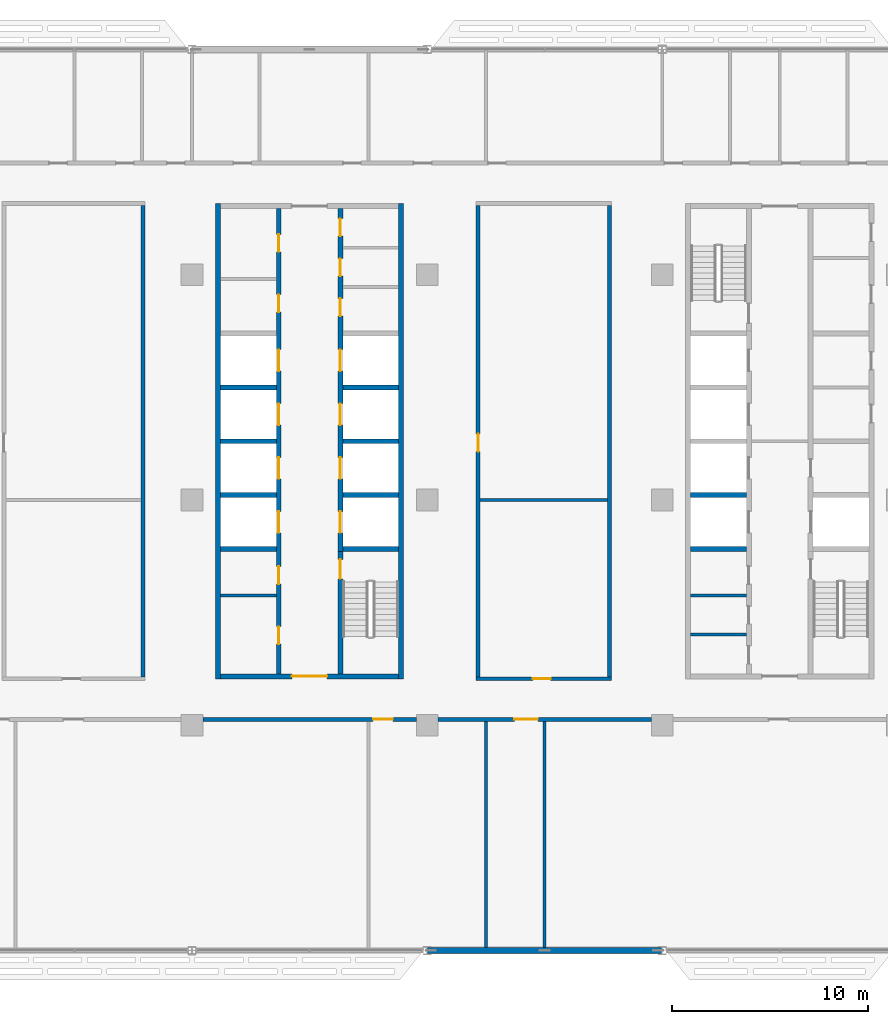
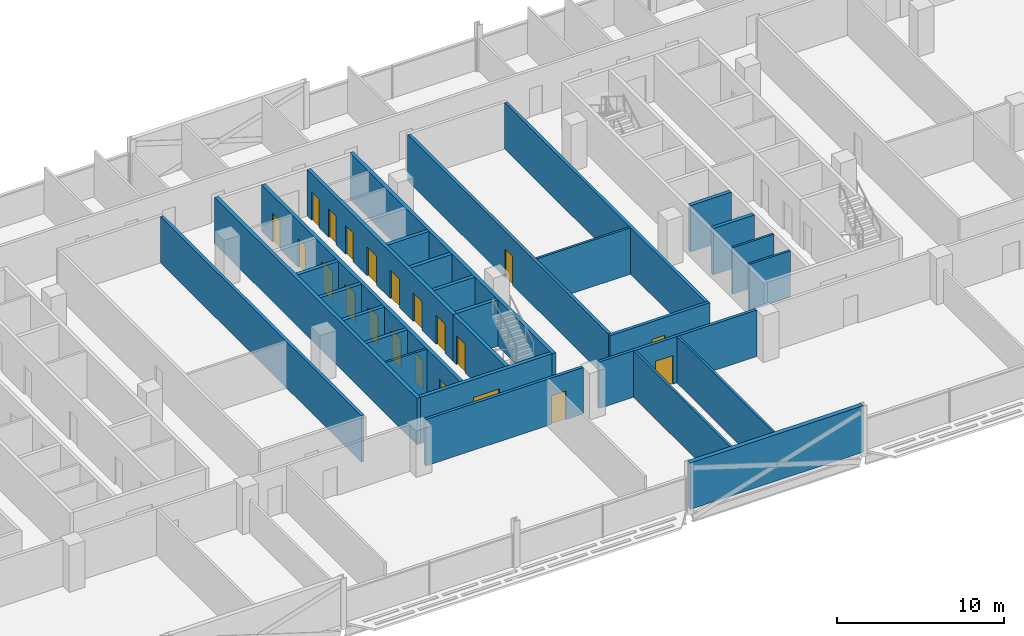
# One storey, part 14 of 30: 29 walls, 21 doors, 21 openings.
"""IFC4 building model written with IfcOpenShell, lengths in metres."""

from ifc_helpers import new_model, si_unit, direction, frame, frame_2d, origin, place, context, subcontext, project, spatial, rectangle, extrude, material, layer, layer_set, type_object, element, fill, save


model = new_model("IFC4")

# Units and contexts
model_context = context("Model", 3, precision=1e-05, world=origin(), true_north=direction((0.0, 1.0)))
body_context = subcontext(model_context, "Body", "Model", "MODEL_VIEW")
ifc_project = project(units=[si_unit("LENGTHUNIT", "METRE"), si_unit("AREAUNIT", "SQUARE_METRE"), si_unit("VOLUMEUNIT", "CUBIC_METRE"), si_unit("PLANEANGLEUNIT", "RADIAN"), si_unit("MASSUNIT", "GRAM", prefix="KILO")], contexts=[model_context])

# Site, building, storey
site_placement = place(None, origin())
site = spatial("IfcSite", under=ifc_project, at=site_placement, CompositionType="ELEMENT")
building_placement = place(site_placement, origin())
building = spatial("IfcBuilding", under=site, at=building_placement, Name="Mahtab Terrace Research Tower", CompositionType="ELEMENT")
storey_placement = place(building_placement, frame((0.0, 0.0, 220.5)))
storey = spatial("IfcBuildingStorey", under=building, at=storey_placement, Name="L53", CompositionType="ELEMENT", Elevation=220.5)

# Walls
ifc_material_1 = material(Name="Gypsum board partition")
ifc_layer_1 = layer(ifc_material_1, 0.14990234375)
ifc_layer_set_1 = layer_set([ifc_layer_1], Name="Core partition 150")
wall_type_1 = type_object("IfcWallType", Name="Core partition 150", PredefinedType="PARTITIONING", material=ifc_layer_set_1)
for number, where, z_axis, x_axis, name in (
    (1, (-4.550048828125, -4.875, 0.0), (0.0, 0.0, 1.0), (1.0, 0.0, 0.0), "Core wall B pWS-788"),
    (2, (19.449951171875, -6.875, 0.0), (0.0, 0.0, 1.0), (1.0, 0.0, 0.0), "Core wall C pWS-988"),
    (3, (19.449951171875, -4.875, 0.0), (0.0, 0.0, 1.0), (1.0, 0.0, 0.0), "Core wall C pWS-788"),
):
    element("IfcWall", number, at=place(storey_placement, frame(where, z_axis=z_axis, x_axis=x_axis)), inside=storey, type_object=wall_type_1, Name=name, PredefinedType="PARTITIONING", context=body_context, shape_type="SweptSolid", body=[
        extrude(rectangle(XDim=2.85009765625, YDim=0.14990234375, at=frame_2d((1.425048828125, 0.0))), origin(), (0.0, 0.0, 1.0), 3.39990234375),
    ])
ifc_material_2 = material(Name="Concrete C70/85", Category="concrete")
ifc_layer_2 = layer(ifc_material_2, 0.25)
ifc_layer_set_2 = layer_set([ifc_layer_2], Name="Core wall 250")
wall_type_2 = type_object("IfcWallType", Name="Core wall 250", PredefinedType="SOLIDWALL", material=ifc_layer_set_2)
for number, where, z_axis, x_axis, name in (
    (4, (-4.675048828125, 15.125, 0.0), (0.0, 0.0, 1.0), (0.0, -1.0, 0.0), "Core wall B outerW"),
    (5, (4.675048828125, -9.125, 0.0), (0.0, 0.0, 1.0), (0.0, 1.0, 0.0), "Core wall B outerE"),
):
    element("IfcWall", number, at=place(storey_placement, frame(where, z_axis=z_axis, x_axis=x_axis)), inside=storey, type_object=wall_type_2, Name=name, PredefinedType="SOLIDWALL", context=body_context, shape_type="SweptSolid", body=[
        extrude(rectangle(XDim=24.25, YDim=0.25, at=frame_2d((12.125, 0.0))), origin(), (0.0, 0.0, 1.0), 3.39990234375),
    ])

# Wall, opening, door
wall_1_placement = place(storey_placement, frame((4.550048828125, -9.0, 0.0), z_axis=(0.0, 0.0, 1.0), x_axis=(-1.0, 0.0, 0.0)))
wall_1 = element("IfcWall", 6, at=wall_1_placement, inside=storey, type_object=wall_type_2, Name="Core wall B endS", PredefinedType="SOLIDWALL", context=body_context, shape_type="SweptSolid", body=[
    extrude(rectangle(XDim=9.10009765625, YDim=0.25, at=frame_2d((4.550048828125, 0.0))), origin(), (0.0, 0.0, 1.0), 3.39990234375),
])
opening_1_placement = place(wall_1_placement, frame((3.64990234375, 0.0, 0.0)))
opening_1 = element("IfcOpeningElement", 7, at=opening_1_placement, cuts=wall_1, Name="Opening B-S1", PredefinedType="OPENING", context=body_context, shape_type="SweptSolid", body=[
    extrude(rectangle(XDim=1.800048828125, YDim=2.10009765625, at=frame_2d((0.89990234375, 1.050048828125))), frame((0.0, 0.135009765625, 0.0), z_axis=(0.0, -1.0, 0.0), x_axis=(1.0, 0.0, 0.0)), (0.0, 0.0, 1.0), 0.27001953125),
])
ifc_material_3 = material(Name="Steel fire door", Category="steel")
door_type_1 = type_object("IfcDoorType", Name="Lobby double door 1800x2100 1 HR", OperationType="DOUBLE_DOOR_SINGLE_SWING", PredefinedType="DOOR", material=ifc_material_3)
door_1_placement = place(opening_1_placement, origin())
door_1 = element("IfcDoor", 8, at=door_1_placement, inside=storey, type_object=door_type_1, Name="Core entrance door B S", OperationType="DOUBLE_DOOR_SINGLE_SWING", OverallHeight=2.10009765625, OverallWidth=1.800048828125, PredefinedType="DOOR", context=body_context, shape_type="SweptSolid", body=[
    extrude(rectangle(XDim=1.800048828125, YDim=2.10009765625, at=frame_2d((0.89990234375, 1.050048828125))), frame((0.0, 0.02490234375, 0.0), z_axis=(0.0, -1.0, 0.0), x_axis=(1.0, 0.0, 0.0)), (0.0, 0.0, 1.0), 0.050048828125),
])
fill(opening_1, door_1)

# Wall, openings, doors
wall_2_placement = place(storey_placement, frame((-1.574951171875, -8.875, 0.0), z_axis=(0.0, 0.0, 1.0), x_axis=(0.0, 1.0, 0.0)))
wall_2 = element("IfcWall", 9, at=wall_2_placement, inside=storey, type_object=wall_type_2, Name="Core wall B innerWSLN", PredefinedType="SOLIDWALL", context=body_context, shape_type="SweptSolid", body=[
    extrude(rectangle(XDim=23.75, YDim=0.25, at=frame_2d((11.875, 0.0))), origin(), (0.0, 0.0, 1.0), 3.39990234375),
])
opening_2_placement = place(wall_2_placement, frame((7.199951171875, 0.0, 0.0)))
opening_2 = element("IfcOpeningElement", 10, at=opening_2_placement, cuts=wall_2, Name="Opening LD09-L53", PredefinedType="OPENING", context=body_context, shape_type="SweptSolid", body=[
    extrude(rectangle(XDim=1.10009765625, YDim=2.10009765625, at=frame_2d((0.550048828125, 1.050048828125))), frame((0.0, 0.135009765625, 0.0), z_axis=(0.0, -1.0, 0.0), x_axis=(1.0, 0.0, 0.0)), (0.0, 0.0, 1.0), 0.27001953125),
])
opening_3_placement = place(wall_2_placement, frame((9.949951171875, 0.0, 0.0)))
opening_3 = element("IfcOpeningElement", 11, at=opening_3_placement, cuts=wall_2, Name="Opening LD10-L53", PredefinedType="OPENING", context=body_context, shape_type="SweptSolid", body=[
    extrude(rectangle(XDim=1.10009765625, YDim=2.10009765625, at=frame_2d((0.550048828125, 1.050048828125))), frame((0.0, 0.135009765625, 0.0), z_axis=(0.0, -1.0, 0.0), x_axis=(1.0, 0.0, 0.0)), (0.0, 0.0, 1.0), 0.27001953125),
])
opening_4_placement = place(wall_2_placement, frame((12.699951171875, 0.0, 0.0)))
opening_4 = element("IfcOpeningElement", 12, at=opening_4_placement, cuts=wall_2, Name="Opening LD11-L53", PredefinedType="OPENING", context=body_context, shape_type="SweptSolid", body=[
    extrude(rectangle(XDim=1.10009765625, YDim=2.10009765625, at=frame_2d((0.550048828125, 1.050048828125))), frame((0.0, 0.135009765625, 0.0), z_axis=(0.0, -1.0, 0.0), x_axis=(1.0, 0.0, 0.0)), (0.0, 0.0, 1.0), 0.27001953125),
])
opening_5_placement = place(wall_2_placement, frame((15.449951171875, 0.0, 0.0)))
opening_5 = element("IfcOpeningElement", 13, at=opening_5_placement, cuts=wall_2, Name="Opening LD12-L53", PredefinedType="OPENING", context=body_context, shape_type="SweptSolid", body=[
    extrude(rectangle(XDim=1.10009765625, YDim=2.10009765625, at=frame_2d((0.550048828125, 1.050048828125))), frame((0.0, 0.135009765625, 0.0), z_axis=(0.0, -1.0, 0.0), x_axis=(1.0, 0.0, 0.0)), (0.0, 0.0, 1.0), 0.27001953125),
])
opening_6_placement = place(wall_2_placement, frame((1.512451171875, 0.0, 0.0)))
opening_6 = element("IfcOpeningElement", 14, at=opening_6_placement, cuts=wall_2, Name="Opening B-R1", PredefinedType="OPENING", context=body_context, shape_type="SweptSolid", body=[
    extrude(rectangle(XDim=0.89990234375, YDim=2.10009765625, at=frame_2d((0.449951171875, 1.050048828125))), frame((0.0, 0.135009765625, 0.0), z_axis=(0.0, -1.0, 0.0), x_axis=(1.0, 0.0, 0.0)), (0.0, 0.0, 1.0), 0.27001953125),
])
opening_7_placement = place(wall_2_placement, frame((4.58740234375, 0.0, 0.0)))
opening_7 = element("IfcOpeningElement", 15, at=opening_7_placement, cuts=wall_2, Name="Opening B-R2", PredefinedType="OPENING", context=body_context, shape_type="SweptSolid", body=[
    extrude(rectangle(XDim=0.89990234375, YDim=2.10009765625, at=frame_2d((0.449951171875, 1.050048828125))), frame((0.0, 0.135009765625, 0.0), z_axis=(0.0, -1.0, 0.0), x_axis=(1.0, 0.0, 0.0)), (0.0, 0.0, 1.0), 0.27001953125),
])
opening_8_placement = place(wall_2_placement, frame((18.46240234375, 0.0, 0.0)))
opening_8 = element("IfcOpeningElement", 16, at=opening_8_placement, cuts=wall_2, Name="Opening B-R3", PredefinedType="OPENING", context=body_context, shape_type="SweptSolid", body=[
    extrude(rectangle(XDim=0.89990234375, YDim=2.10009765625, at=frame_2d((0.449951171875, 1.050048828125))), frame((0.0, 0.135009765625, 0.0), z_axis=(0.0, -1.0, 0.0), x_axis=(1.0, 0.0, 0.0)), (0.0, 0.0, 1.0), 0.27001953125),
])
opening_9_placement = place(wall_2_placement, frame((21.53759765625, 0.0, 0.0)))
opening_9 = element("IfcOpeningElement", 17, at=opening_9_placement, cuts=wall_2, Name="Opening B-R4", PredefinedType="OPENING", context=body_context, shape_type="SweptSolid", body=[
    extrude(rectangle(XDim=0.89990234375, YDim=2.10009765625, at=frame_2d((0.449951171875, 1.050048828125))), frame((0.0, 0.135009765625, 0.0), z_axis=(0.0, -1.0, 0.0), x_axis=(1.0, 0.0, 0.0)), (0.0, 0.0, 1.0), 0.27001953125),
])
ifc_material_4 = material(Name="Stainless steel AISI 304", Category="steel")
door_type_2 = type_object("IfcDoorType", Name="Landing door 1100x2100", OperationType="DOUBLE_DOOR_SLIDING", PredefinedType="DOOR", material=ifc_material_4)
door_2_placement = place(opening_2_placement, origin())
door_2 = element("IfcDoor", 18, at=door_2_placement, inside=storey, type_object=door_type_2, Name="Landing door HR1 L53", OperationType="DOUBLE_DOOR_SLIDING", OverallHeight=2.10009765625, OverallWidth=1.10009765625, PredefinedType="DOOR", context=body_context, shape_type="SweptSolid", body=[
    extrude(rectangle(XDim=1.10009765625, YDim=2.10009765625, at=frame_2d((0.550048828125, 1.050048828125))), frame((0.0, 0.02490234375, 0.0), z_axis=(0.0, -1.0, 0.0), x_axis=(1.0, 0.0, 0.0)), (0.0, 0.0, 1.0), 0.050048828125),
])
fill(opening_2, door_2)
door_3_placement = place(opening_3_placement, origin())
door_3 = element("IfcDoor", 19, at=door_3_placement, inside=storey, type_object=door_type_2, Name="Landing door HR2 L53", OperationType="DOUBLE_DOOR_SLIDING", OverallHeight=2.10009765625, OverallWidth=1.10009765625, PredefinedType="DOOR", context=body_context, shape_type="SweptSolid", body=[
    extrude(rectangle(XDim=1.10009765625, YDim=2.10009765625, at=frame_2d((0.550048828125, 1.050048828125))), frame((0.0, 0.02490234375, 0.0), z_axis=(0.0, -1.0, 0.0), x_axis=(1.0, 0.0, 0.0)), (0.0, 0.0, 1.0), 0.050048828125),
])
fill(opening_3, door_3)
door_4_placement = place(opening_4_placement, origin())
door_4 = element("IfcDoor", 20, at=door_4_placement, inside=storey, type_object=door_type_2, Name="Landing door HR3 L53", OperationType="DOUBLE_DOOR_SLIDING", OverallHeight=2.10009765625, OverallWidth=1.10009765625, PredefinedType="DOOR", context=body_context, shape_type="SweptSolid", body=[
    extrude(rectangle(XDim=1.10009765625, YDim=2.10009765625, at=frame_2d((0.550048828125, 1.050048828125))), frame((0.0, 0.02490234375, 0.0), z_axis=(0.0, -1.0, 0.0), x_axis=(1.0, 0.0, 0.0)), (0.0, 0.0, 1.0), 0.050048828125),
])
fill(opening_4, door_4)
door_5_placement = place(opening_5_placement, origin())
door_5 = element("IfcDoor", 21, at=door_5_placement, inside=storey, type_object=door_type_2, Name="Landing door HR4 L53", OperationType="DOUBLE_DOOR_SLIDING", OverallHeight=2.10009765625, OverallWidth=1.10009765625, PredefinedType="DOOR", context=body_context, shape_type="SweptSolid", body=[
    extrude(rectangle(XDim=1.10009765625, YDim=2.10009765625, at=frame_2d((0.550048828125, 1.050048828125))), frame((0.0, 0.02490234375, 0.0), z_axis=(0.0, -1.0, 0.0), x_axis=(1.0, 0.0, 0.0)), (0.0, 0.0, 1.0), 0.050048828125),
])
fill(opening_5, door_5)
door_type_3 = type_object("IfcDoorType", Name="Room door 900x2100 1 HR", OperationType="NOTDEFINED", PredefinedType="DOOR", material=ifc_material_3)
door_6_placement = place(opening_6_placement, origin())
door_6 = element("IfcDoor", 22, at=door_6_placement, inside=storey, type_object=door_type_3, Name="IT equipment room door", OperationType="SINGLE_SWING_LEFT", OverallHeight=2.10009765625, OverallWidth=0.89990234375, PredefinedType="DOOR", context=body_context, shape_type="SweptSolid", body=[
    extrude(rectangle(XDim=0.89990234375, YDim=2.10009765625, at=frame_2d((0.449951171875, 1.050048828125))), frame((0.0, 0.02490234375, 0.0), z_axis=(0.0, -1.0, 0.0), x_axis=(1.0, 0.0, 0.0)), (0.0, 0.0, 1.0), 0.050048828125),
])
fill(opening_6, door_6)
door_7_placement = place(opening_7_placement, origin())
door_7 = element("IfcDoor", 23, at=door_7_placement, inside=storey, type_object=door_type_3, Name="Electrical riser room door", OperationType="SINGLE_SWING_RIGHT", OverallHeight=2.10009765625, OverallWidth=0.89990234375, PredefinedType="DOOR", context=body_context, shape_type="SweptSolid", body=[
    extrude(rectangle(XDim=0.89990234375, YDim=2.10009765625, at=frame_2d((0.449951171875, 1.050048828125))), frame((0.0, 0.02490234375, 0.0), z_axis=(0.0, -1.0, 0.0), x_axis=(1.0, 0.0, 0.0)), (0.0, 0.0, 1.0), 0.050048828125),
])
fill(opening_7, door_7)
door_8_placement = place(opening_8_placement, origin())
door_8 = element("IfcDoor", 24, at=door_8_placement, inside=storey, type_object=door_type_3, Name="Mechanical riser room door", OperationType="SINGLE_SWING_LEFT", OverallHeight=2.10009765625, OverallWidth=0.89990234375, PredefinedType="DOOR", context=body_context, shape_type="SweptSolid", body=[
    extrude(rectangle(XDim=0.89990234375, YDim=2.10009765625, at=frame_2d((0.449951171875, 1.050048828125))), frame((0.0, 0.02490234375, 0.0), z_axis=(0.0, -1.0, 0.0), x_axis=(1.0, 0.0, 0.0)), (0.0, 0.0, 1.0), 0.050048828125),
])
fill(opening_8, door_8)
door_9_placement = place(opening_9_placement, origin())
door_9 = element("IfcDoor", 25, at=door_9_placement, inside=storey, type_object=door_type_3, Name="Chemical store door", OperationType="SINGLE_SWING_RIGHT", OverallHeight=2.10009765625, OverallWidth=0.89990234375, PredefinedType="DOOR", context=body_context, shape_type="SweptSolid", body=[
    extrude(rectangle(XDim=0.89990234375, YDim=2.10009765625, at=frame_2d((0.449951171875, 1.050048828125))), frame((0.0, 0.02490234375, 0.0), z_axis=(0.0, -1.0, 0.0), x_axis=(1.0, 0.0, 0.0)), (0.0, 0.0, 1.0), 0.050048828125),
])
fill(opening_9, door_9)

# Wall, opening, door
wall_3_placement = place(storey_placement, frame((1.574951171875, -8.875, 0.0), z_axis=(0.0, 0.0, 1.0), x_axis=(0.0, 1.0, 0.0)))
wall_3 = element("IfcWall", 26, at=wall_3_placement, inside=storey, type_object=wall_type_2, Name="Core wall B innerES", PredefinedType="SOLIDWALL", context=body_context, shape_type="SweptSolid", body=[
    extrude(rectangle(XDim=6.25, YDim=0.25, at=frame_2d((3.125, 0.0))), origin(), (0.0, 0.0, 1.0), 3.39990234375),
])
opening_10_placement = place(wall_3_placement, frame((4.85009765625, 0.0, 0.0)))
opening_10 = element("IfcOpeningElement", 27, at=opening_10_placement, cuts=wall_3, Name="Opening B-ST2", PredefinedType="OPENING", context=body_context, shape_type="SweptSolid", body=[
    extrude(rectangle(XDim=1.0, YDim=2.10009765625, at=frame_2d((0.5, 1.050048828125))), frame((0.0, 0.135009765625, 0.0), z_axis=(0.0, -1.0, 0.0), x_axis=(1.0, 0.0, 0.0)), (0.0, 0.0, 1.0), 0.27001953125),
])
door_type_4 = type_object("IfcDoorType", Name="Stair door 1000x2100 1.5 HR", OperationType="NOTDEFINED", PredefinedType="DOOR", material=ifc_material_3)
door_10_placement = place(opening_10_placement, origin())
door_10 = element("IfcDoor", 28, at=door_10_placement, inside=storey, type_object=door_type_4, Name="Stair door ST2 L53", OperationType="SINGLE_SWING_RIGHT", OverallHeight=2.10009765625, OverallWidth=1.0, PredefinedType="DOOR", context=body_context, shape_type="SweptSolid", body=[
    extrude(rectangle(XDim=1.0, YDim=2.10009765625, at=frame_2d((0.5, 1.050048828125))), frame((0.0, 0.02490234375, 0.0), z_axis=(0.0, -1.0, 0.0), x_axis=(1.0, 0.0, 0.0)), (0.0, 0.0, 1.0), 0.050048828125),
])
fill(opening_10, door_10)

# Wall, openings, doors
wall_4_placement = place(storey_placement, frame((1.574951171875, 14.875, 0.0), z_axis=(0.0, 0.0, 1.0), x_axis=(0.0, -1.0, 0.0)))
wall_4 = element("IfcWall", 29, at=wall_4_placement, inside=storey, type_object=wall_type_2, Name="Core wall B innerELN", PredefinedType="SOLIDWALL", context=body_context, shape_type="SweptSolid", body=[
    extrude(rectangle(XDim=17.5, YDim=0.25, at=frame_2d((8.75, 0.0))), origin(), (0.0, 0.0, 1.0), 3.39990234375),
])
opening_11_placement = place(wall_4_placement, frame((15.449951171875, 0.0, 0.0)))
opening_11 = element("IfcOpeningElement", 30, at=opening_11_placement, cuts=wall_4, Name="Opening LD13-L53", PredefinedType="OPENING", context=body_context, shape_type="SweptSolid", body=[
    extrude(rectangle(XDim=1.10009765625, YDim=2.10009765625, at=frame_2d((0.550048828125, 1.050048828125))), frame((0.0, 0.135009765625, 0.0), z_axis=(0.0, -1.0, 0.0), x_axis=(1.0, 0.0, 0.0)), (0.0, 0.0, 1.0), 0.27001953125),
])
opening_12_placement = place(wall_4_placement, frame((12.699951171875, 0.0, 0.0)))
opening_12 = element("IfcOpeningElement", 31, at=opening_12_placement, cuts=wall_4, Name="Opening LD14-L53", PredefinedType="OPENING", context=body_context, shape_type="SweptSolid", body=[
    extrude(rectangle(XDim=1.10009765625, YDim=2.10009765625, at=frame_2d((0.550048828125, 1.050048828125))), frame((0.0, 0.135009765625, 0.0), z_axis=(0.0, -1.0, 0.0), x_axis=(1.0, 0.0, 0.0)), (0.0, 0.0, 1.0), 0.27001953125),
])
opening_13_placement = place(wall_4_placement, frame((9.949951171875, 0.0, 0.0)))
opening_13 = element("IfcOpeningElement", 32, at=opening_13_placement, cuts=wall_4, Name="Opening LD15-L53", PredefinedType="OPENING", context=body_context, shape_type="SweptSolid", body=[
    extrude(rectangle(XDim=1.10009765625, YDim=2.10009765625, at=frame_2d((0.550048828125, 1.050048828125))), frame((0.0, 0.135009765625, 0.0), z_axis=(0.0, -1.0, 0.0), x_axis=(1.0, 0.0, 0.0)), (0.0, 0.0, 1.0), 0.27001953125),
])
opening_14_placement = place(wall_4_placement, frame((7.199951171875, 0.0, 0.0)))
opening_14 = element("IfcOpeningElement", 33, at=opening_14_placement, cuts=wall_4, Name="Opening LD16-L53", PredefinedType="OPENING", context=body_context, shape_type="SweptSolid", body=[
    extrude(rectangle(XDim=1.10009765625, YDim=2.10009765625, at=frame_2d((0.550048828125, 1.050048828125))), frame((0.0, 0.135009765625, 0.0), z_axis=(0.0, -1.0, 0.0), x_axis=(1.0, 0.0, 0.0)), (0.0, 0.0, 1.0), 0.27001953125),
])
opening_15_placement = place(wall_4_placement, frame((4.58740234375, 0.0, 0.0)))
opening_15 = element("IfcOpeningElement", 34, at=opening_15_placement, cuts=wall_4, Name="Opening B-R5", PredefinedType="OPENING", context=body_context, shape_type="SweptSolid", body=[
    extrude(rectangle(XDim=0.89990234375, YDim=2.10009765625, at=frame_2d((0.449951171875, 1.050048828125))), frame((0.0, 0.135009765625, 0.0), z_axis=(0.0, -1.0, 0.0), x_axis=(1.0, 0.0, 0.0)), (0.0, 0.0, 1.0), 0.27001953125),
])
opening_16_placement = place(wall_4_placement, frame((2.550048828125, 0.0, 0.0)))
opening_16 = element("IfcOpeningElement", 35, at=opening_16_placement, cuts=wall_4, Name="Opening B-R6", PredefinedType="OPENING", context=body_context, shape_type="SweptSolid", body=[
    extrude(rectangle(XDim=0.89990234375, YDim=2.10009765625, at=frame_2d((0.449951171875, 1.050048828125))), frame((0.0, 0.135009765625, 0.0), z_axis=(0.0, -1.0, 0.0), x_axis=(1.0, 0.0, 0.0)), (0.0, 0.0, 1.0), 0.27001953125),
])
opening_17_placement = place(wall_4_placement, frame((0.512451171875, 0.0, 0.0)))
opening_17 = element("IfcOpeningElement", 36, at=opening_17_placement, cuts=wall_4, Name="Opening B-R7", PredefinedType="OPENING", context=body_context, shape_type="SweptSolid", body=[
    extrude(rectangle(XDim=0.89990234375, YDim=2.10009765625, at=frame_2d((0.449951171875, 1.050048828125))), frame((0.0, 0.135009765625, 0.0), z_axis=(0.0, -1.0, 0.0), x_axis=(1.0, 0.0, 0.0)), (0.0, 0.0, 1.0), 0.27001953125),
])
door_11_placement = place(opening_11_placement, origin())
door_11 = element("IfcDoor", 37, at=door_11_placement, inside=storey, type_object=door_type_2, Name="Landing door HR5 L53", OperationType="DOUBLE_DOOR_SLIDING", OverallHeight=2.10009765625, OverallWidth=1.10009765625, PredefinedType="DOOR", context=body_context, shape_type="SweptSolid", body=[
    extrude(rectangle(XDim=1.10009765625, YDim=2.10009765625, at=frame_2d((0.550048828125, 1.050048828125))), frame((0.0, 0.02490234375, 0.0), z_axis=(0.0, -1.0, 0.0), x_axis=(1.0, 0.0, 0.0)), (0.0, 0.0, 1.0), 0.050048828125),
])
fill(opening_11, door_11)
door_12_placement = place(opening_12_placement, origin())
door_12 = element("IfcDoor", 38, at=door_12_placement, inside=storey, type_object=door_type_2, Name="Landing door HR6 L53", OperationType="DOUBLE_DOOR_SLIDING", OverallHeight=2.10009765625, OverallWidth=1.10009765625, PredefinedType="DOOR", context=body_context, shape_type="SweptSolid", body=[
    extrude(rectangle(XDim=1.10009765625, YDim=2.10009765625, at=frame_2d((0.550048828125, 1.050048828125))), frame((0.0, 0.02490234375, 0.0), z_axis=(0.0, -1.0, 0.0), x_axis=(1.0, 0.0, 0.0)), (0.0, 0.0, 1.0), 0.050048828125),
])
fill(opening_12, door_12)
door_13_placement = place(opening_13_placement, origin())
door_13 = element("IfcDoor", 39, at=door_13_placement, inside=storey, type_object=door_type_2, Name="Landing door HR7 L53", OperationType="DOUBLE_DOOR_SLIDING", OverallHeight=2.10009765625, OverallWidth=1.10009765625, PredefinedType="DOOR", context=body_context, shape_type="SweptSolid", body=[
    extrude(rectangle(XDim=1.10009765625, YDim=2.10009765625, at=frame_2d((0.550048828125, 1.050048828125))), frame((0.0, 0.02490234375, 0.0), z_axis=(0.0, -1.0, 0.0), x_axis=(1.0, 0.0, 0.0)), (0.0, 0.0, 1.0), 0.050048828125),
])
fill(opening_13, door_13)
door_14_placement = place(opening_14_placement, origin())
door_14 = element("IfcDoor", 40, at=door_14_placement, inside=storey, type_object=door_type_2, Name="Landing door HR8 L53", OperationType="DOUBLE_DOOR_SLIDING", OverallHeight=2.10009765625, OverallWidth=1.10009765625, PredefinedType="DOOR", context=body_context, shape_type="SweptSolid", body=[
    extrude(rectangle(XDim=1.10009765625, YDim=2.10009765625, at=frame_2d((0.550048828125, 1.050048828125))), frame((0.0, 0.02490234375, 0.0), z_axis=(0.0, -1.0, 0.0), x_axis=(1.0, 0.0, 0.0)), (0.0, 0.0, 1.0), 0.050048828125),
])
fill(opening_14, door_14)
door_15_placement = place(opening_15_placement, origin())
door_15 = element("IfcDoor", 41, at=door_15_placement, inside=storey, type_object=door_type_3, Name="Male WC door", OperationType="SINGLE_SWING_LEFT", OverallHeight=2.10009765625, OverallWidth=0.89990234375, PredefinedType="DOOR", context=body_context, shape_type="SweptSolid", body=[
    extrude(rectangle(XDim=0.89990234375, YDim=2.10009765625, at=frame_2d((0.449951171875, 1.050048828125))), frame((0.0, 0.02490234375, 0.0), z_axis=(0.0, -1.0, 0.0), x_axis=(1.0, 0.0, 0.0)), (0.0, 0.0, 1.0), 0.050048828125),
])
fill(opening_15, door_15)
door_16_placement = place(opening_16_placement, origin())
door_16 = element("IfcDoor", 42, at=door_16_placement, inside=storey, type_object=door_type_3, Name="Female WC door", OperationType="SINGLE_SWING_RIGHT", OverallHeight=2.10009765625, OverallWidth=0.89990234375, PredefinedType="DOOR", context=body_context, shape_type="SweptSolid", body=[
    extrude(rectangle(XDim=0.89990234375, YDim=2.10009765625, at=frame_2d((0.449951171875, 1.050048828125))), frame((0.0, 0.02490234375, 0.0), z_axis=(0.0, -1.0, 0.0), x_axis=(1.0, 0.0, 0.0)), (0.0, 0.0, 1.0), 0.050048828125),
])
fill(opening_16, door_16)
door_17_placement = place(opening_17_placement, origin())
door_17 = element("IfcDoor", 43, at=door_17_placement, inside=storey, type_object=door_type_3, Name="Accessible WC door", OperationType="SINGLE_SWING_LEFT", OverallHeight=2.10009765625, OverallWidth=0.89990234375, PredefinedType="DOOR", context=body_context, shape_type="SweptSolid", body=[
    extrude(rectangle(XDim=0.89990234375, YDim=2.10009765625, at=frame_2d((0.449951171875, 1.050048828125))), frame((0.0, 0.02490234375, 0.0), z_axis=(0.0, -1.0, 0.0), x_axis=(1.0, 0.0, 0.0)), (0.0, 0.0, 1.0), 0.050048828125),
])
fill(opening_17, door_17)

# Walls
for number, where, z_axis, x_axis, name in (
    (44, (-4.550048828125, -2.5, 0.0), (0.0, 0.0, 1.0), (1.0, 0.0, 0.0), "Core wall B divW0"),
    (45, (-4.550048828125, 0.25, 0.0), (0.0, 0.0, 1.0), (1.0, 0.0, 0.0), "Core wall B divW1"),
    (46, (-4.550048828125, 3.0, 0.0), (0.0, 0.0, 1.0), (1.0, 0.0, 0.0), "Core wall B divW2"),
    (47, (-4.550048828125, 5.75, 0.0), (0.0, 0.0, 1.0), (1.0, 0.0, 0.0), "Core wall B divW3"),
    (48, (1.699951171875, -2.5, 0.0), (0.0, 0.0, 1.0), (1.0, 0.0, 0.0), "Core wall B divE0"),
    (49, (1.699951171875, 0.25, 0.0), (0.0, 0.0, 1.0), (1.0, 0.0, 0.0), "Core wall B divE1"),
    (50, (1.699951171875, 3.0, 0.0), (0.0, 0.0, 1.0), (1.0, 0.0, 0.0), "Core wall B divE2"),
    (51, (1.699951171875, 5.75, 0.0), (0.0, 0.0, 1.0), (1.0, 0.0, 0.0), "Core wall B divE3"),
    (52, (19.449951171875, -2.5, 0.0), (0.0, 0.0, 1.0), (1.0, 0.0, 0.0), "Core wall C divW0"),
    (53, (19.449951171875, 0.25, 0.0), (0.0, 0.0, 1.0), (1.0, 0.0, 0.0), "Core wall C divW1"),
):
    element("IfcWall", number, at=place(storey_placement, frame(where, z_axis=z_axis, x_axis=x_axis)), inside=storey, type_object=wall_type_2, Name=name, PredefinedType="SOLIDWALL", context=body_context, shape_type="SweptSolid", body=[
        extrude(rectangle(XDim=2.85009765625, YDim=0.25, at=frame_2d((1.425048828125, 0.0))), origin(), (0.0, 0.0, 1.0), 3.39990234375),
    ])
ifc_material_5 = material(Name="Black aluminium cladding panel", Category="aluminium")
ifc_layer_3 = layer(ifc_material_5, 0.300048828125)
ifc_layer_set_3 = layer_set([ifc_layer_3], Name="Opaque facade wall 300")
wall_type_3 = type_object("IfcWallType", Name="Opaque facade wall 300", PredefinedType="NOTDEFINED", material=ifc_layer_set_3)
wall_5_placement = place(storey_placement, frame((6.012451171875, -23.0, 0.0), z_axis=(0.0, 0.0, 1.0), x_axis=(1.0, 0.0, 0.0)))
element("IfcWall", 54, at=wall_5_placement, inside=storey, type_object=wall_type_3, Name="Opaque facade wall L53 S27", PredefinedType="NOTDEFINED", context=body_context, shape_type="SweptSolid", body=[
    extrude(rectangle(XDim=11.97509765625, YDim=0.300048828125, at=frame_2d((5.987548828125, 0.0))), origin(), (0.0, 0.0, 1.0), 3.39990234375),
])

# Wall, opening, door
ifc_material_6 = material(Name="Gypsum board corridor wall on steel studs", Category="steel")
ifc_layer_4 = layer(ifc_material_6, 0.199951171875)
ifc_layer_set_4 = layer_set([ifc_layer_4], Name="WALL CORRIDOR 200")
wall_type_4 = type_object("IfcWallType", Name="WALL CORRIDOR 200", PredefinedType="PARTITIONING", material=ifc_layer_set_4)
wall_6_placement = place(storey_placement, frame((-5.449951171875, -11.199951171875, 0.0), z_axis=(0.0, 0.0, 1.0), x_axis=(1.0, 0.0, 0.0)))
wall_6 = element("IfcWall", 55, at=wall_6_placement, inside=storey, type_object=wall_type_4, Name="L53-W004", PredefinedType="PARTITIONING", context=body_context, shape_type="SweptSolid", body=[
    extrude(rectangle(XDim=10.89990234375, YDim=0.199951171875, at=frame_2d((5.449951171875, 0.0))), origin(), (0.0, 0.0, 1.0), 3.39990234375),
])
opening_18_placement = place(wall_6_placement, frame((8.699951171875, 0.0, 0.0)))
opening_18 = element("IfcOpeningElement", 56, at=opening_18_placement, cuts=wall_6, Name="Opening L53-105", PredefinedType="OPENING", context=body_context, shape_type="SweptSolid", body=[
    extrude(rectangle(XDim=1.0, YDim=2.10009765625, at=frame_2d((0.5, 1.050048828125))), frame((0.0, 0.10986328125, 0.0), z_axis=(0.0, -1.0, 0.0), x_axis=(1.0, 0.0, 0.0)), (0.0, 0.0, 1.0), 0.219970703125),
])
ifc_material_7 = material(Name="Timber door leaf in steel frame", Category="steel")
door_type_5 = type_object("IfcDoorType", Name="DOOR 1000X2100 FD30S", OperationType="SINGLE_SWING_LEFT", PredefinedType="DOOR", material=ifc_material_7)
door_18_placement = place(opening_18_placement, origin())
door_18 = element("IfcDoor", 57, at=door_18_placement, inside=storey, type_object=door_type_5, Name="Door L53-105", OperationType="SINGLE_SWING_LEFT", OverallHeight=2.10009765625, OverallWidth=1.0, PredefinedType="DOOR", context=body_context, shape_type="SweptSolid", body=[
    extrude(rectangle(XDim=1.0, YDim=2.10009765625, at=frame_2d((0.5, 1.050048828125))), frame((0.0, 0.02490234375, 0.0), z_axis=(0.0, -1.0, 0.0), x_axis=(1.0, 0.0, 0.0)), (0.0, 0.0, 1.0), 0.050048828125),
])
fill(opening_18, door_18)

wall_7_placement = place(storey_placement, frame((6.550048828125, -11.199951171875, 0.0), z_axis=(0.0, 0.0, 1.0), x_axis=(1.0, 0.0, 0.0)))
wall_7 = element("IfcWall", 58, at=wall_7_placement, inside=storey, type_object=wall_type_4, Name="L53-W005", PredefinedType="PARTITIONING", context=body_context, shape_type="SweptSolid", body=[
    extrude(rectangle(XDim=10.89990234375, YDim=0.199951171875, at=frame_2d((5.449951171875, 0.0))), origin(), (0.0, 0.0, 1.0), 3.39990234375),
])
opening_19_placement = place(wall_7_placement, frame((3.89990234375, 0.0, 0.0)))
opening_19 = element("IfcOpeningElement", 59, at=opening_19_placement, cuts=wall_7, Name="Opening L53-106", PredefinedType="OPENING", context=body_context, shape_type="SweptSolid", body=[
    extrude(rectangle(XDim=1.199951171875, YDim=2.10009765625, at=frame_2d((0.60009765625, 1.050048828125))), frame((0.0, 0.10986328125, 0.0), z_axis=(0.0, -1.0, 0.0), x_axis=(1.0, 0.0, 0.0)), (0.0, 0.0, 1.0), 0.219970703125),
])
door_type_6 = type_object("IfcDoorType", Name="DOOR 1200X2100 FD30S", OperationType="SINGLE_SWING_LEFT", PredefinedType="DOOR", material=ifc_material_7)
door_19_placement = place(opening_19_placement, origin())
door_19 = element("IfcDoor", 60, at=door_19_placement, inside=storey, type_object=door_type_6, Name="Door L53-106", OperationType="SINGLE_SWING_RIGHT", OverallHeight=2.10009765625, OverallWidth=1.199951171875, PredefinedType="DOOR", context=body_context, shape_type="SweptSolid", body=[
    extrude(rectangle(XDim=1.199951171875, YDim=2.10009765625, at=frame_2d((0.60009765625, 1.050048828125))), frame((0.0, 0.02490234375, 0.0), z_axis=(0.0, -1.0, 0.0), x_axis=(1.0, 0.0, 0.0)), (0.0, 0.0, 1.0), 0.050048828125),
])
fill(opening_19, door_19)

wall_8_placement = place(storey_placement, frame((8.5, -9.125, 0.0), z_axis=(0.0, 0.0, 1.0), x_axis=(1.0, 0.0, 0.0)))
wall_8 = element("IfcWall", 61, at=wall_8_placement, inside=storey, type_object=wall_type_4, Name="L53-W011", PredefinedType="PARTITIONING", context=body_context, shape_type="SweptSolid", body=[
    extrude(rectangle(XDim=6.89990234375, YDim=0.199951171875, at=frame_2d((3.449951171875, 0.0))), origin(), (0.0, 0.0, 1.0), 3.39990234375),
])
opening_20_placement = place(wall_8_placement, frame((2.89990234375, 0.0, 0.0)))
opening_20 = element("IfcOpeningElement", 62, at=opening_20_placement, cuts=wall_8, Name="Opening L53-113", PredefinedType="OPENING", context=body_context, shape_type="SweptSolid", body=[
    extrude(rectangle(XDim=0.89990234375, YDim=2.10009765625, at=frame_2d((0.449951171875, 1.050048828125))), frame((0.0, 0.10986328125, 0.0), z_axis=(0.0, -1.0, 0.0), x_axis=(1.0, 0.0, 0.0)), (0.0, 0.0, 1.0), 0.219970703125),
])
door_type_7 = type_object("IfcDoorType", Name="DOOR 0900X2100 FD30S", OperationType="SINGLE_SWING_LEFT", PredefinedType="DOOR", material=ifc_material_7)
door_20_placement = place(opening_20_placement, origin())
door_20 = element("IfcDoor", 63, at=door_20_placement, inside=storey, type_object=door_type_7, Name="Door L53-113", OperationType="SINGLE_SWING_LEFT", OverallHeight=2.10009765625, OverallWidth=0.89990234375, PredefinedType="DOOR", context=body_context, shape_type="SweptSolid", body=[
    extrude(rectangle(XDim=0.89990234375, YDim=2.10009765625, at=frame_2d((0.449951171875, 1.050048828125))), frame((0.0, 0.02490234375, 0.0), z_axis=(0.0, -1.0, 0.0), x_axis=(1.0, 0.0, 0.0)), (0.0, 0.0, 1.0), 0.050048828125),
])
fill(opening_20, door_20)

# Wall
wall_9_placement = place(storey_placement, frame((-8.5, -9.02490234375, 0.0), z_axis=(0.0, 0.0, 1.0), x_axis=(0.0, 1.0, 0.0)))
element("IfcWall", 64, at=wall_9_placement, inside=storey, type_object=wall_type_4, Name="L53-W034", PredefinedType="PARTITIONING", context=body_context, shape_type="SweptSolid", body=[
    extrude(rectangle(XDim=24.0498046875, YDim=0.199951171875, at=frame_2d((12.02490234375, 0.0))), origin(), (0.0, 0.0, 1.0), 3.39990234375),
])

# Wall, opening, door
wall_10_placement = place(storey_placement, frame((8.60009765625, -9.02490234375, 0.0), z_axis=(0.0, 0.0, 1.0), x_axis=(0.0, 1.0, 0.0)))
wall_10 = element("IfcWall", 65, at=wall_10_placement, inside=storey, type_object=wall_type_4, Name="L53-W039", PredefinedType="PARTITIONING", context=body_context, shape_type="SweptSolid", body=[
    extrude(rectangle(XDim=24.0498046875, YDim=0.199951171875, at=frame_2d((12.02490234375, 0.0))), origin(), (0.0, 0.0, 1.0), 3.39990234375),
])
opening_21_placement = place(wall_10_placement, frame((11.5, 0.0, 0.0)))
opening_21 = element("IfcOpeningElement", 66, at=opening_21_placement, cuts=wall_10, Name="Opening L53-118", PredefinedType="OPENING", context=body_context, shape_type="SweptSolid", body=[
    extrude(rectangle(XDim=0.89990234375, YDim=2.10009765625, at=frame_2d((0.449951171875, 1.050048828125))), frame((0.0, 0.10986328125, 0.0), z_axis=(0.0, -1.0, 0.0), x_axis=(1.0, 0.0, 0.0)), (0.0, 0.0, 1.0), 0.219970703125),
])
door_21_placement = place(opening_21_placement, origin())
door_21 = element("IfcDoor", 67, at=door_21_placement, inside=storey, type_object=door_type_7, Name="Door L53-118", OperationType="SINGLE_SWING_RIGHT", OverallHeight=2.10009765625, OverallWidth=0.89990234375, PredefinedType="DOOR", context=body_context, shape_type="SweptSolid", body=[
    extrude(rectangle(XDim=0.89990234375, YDim=2.10009765625, at=frame_2d((0.449951171875, 1.050048828125))), frame((0.0, 0.02490234375, 0.0), z_axis=(0.0, -1.0, 0.0), x_axis=(1.0, 0.0, 0.0)), (0.0, 0.0, 1.0), 0.050048828125),
])
fill(opening_21, door_21)

# Walls
wall_11_placement = place(storey_placement, frame((15.300048828125, -9.02490234375, 0.0), z_axis=(0.0, 0.0, 1.0), x_axis=(0.0, 1.0, 0.0)))
element("IfcWall", 68, at=wall_11_placement, inside=storey, type_object=wall_type_4, Name="L53-W043", PredefinedType="PARTITIONING", context=body_context, shape_type="SweptSolid", body=[
    extrude(rectangle(XDim=24.0498046875, YDim=0.199951171875, at=frame_2d((12.02490234375, 0.0))), origin(), (0.0, 0.0, 1.0), 3.39990234375),
])
ifc_material_8 = material(Name="Gypsum board partition on steel studs", Category="steel")
ifc_layer_5 = layer(ifc_material_8, 0.14990234375)
ifc_layer_set_5 = layer_set([ifc_layer_5], Name="WALL PARTITION 150")
wall_type_5 = type_object("IfcWallType", Name="WALL PARTITION 150", PredefinedType="PARTITIONING", material=ifc_layer_set_5)
wall_12_placement = place(storey_placement, frame((8.699951171875, 0.0, 0.0), z_axis=(0.0, 0.0, 1.0), x_axis=(1.0, 0.0, 0.0)))
element("IfcWall", 69, at=wall_12_placement, inside=storey, type_object=wall_type_5, Name="L53-W015", PredefinedType="PARTITIONING", context=body_context, shape_type="SweptSolid", body=[
    extrude(rectangle(XDim=6.5, YDim=0.14990234375, at=frame_2d((3.25, 0.0))), origin(), (0.0, 0.0, 1.0), 3.39990234375),
])
for number, where, z_axis, x_axis, name in (
    (70, (9.0, -22.85009765625, 0.0), (0.0, 0.0, 1.0), (0.0, 1.0, 0.0), "L53-W040"),
    (71, (12.0, -22.85009765625, 0.0), (0.0, 0.0, 1.0), (0.0, 1.0, 0.0), "L53-W042"),
):
    element("IfcWall", number, at=place(storey_placement, frame(where, z_axis=z_axis, x_axis=x_axis)), inside=storey, type_object=wall_type_5, Name=name, PredefinedType="PARTITIONING", context=body_context, shape_type="SweptSolid", body=[
        extrude(rectangle(XDim=11.550048828125, YDim=0.14990234375, at=frame_2d((5.77490234375, 0.0))), origin(), (0.0, 0.0, 1.0), 3.39990234375),
    ])

save(model, "model.ifc")
